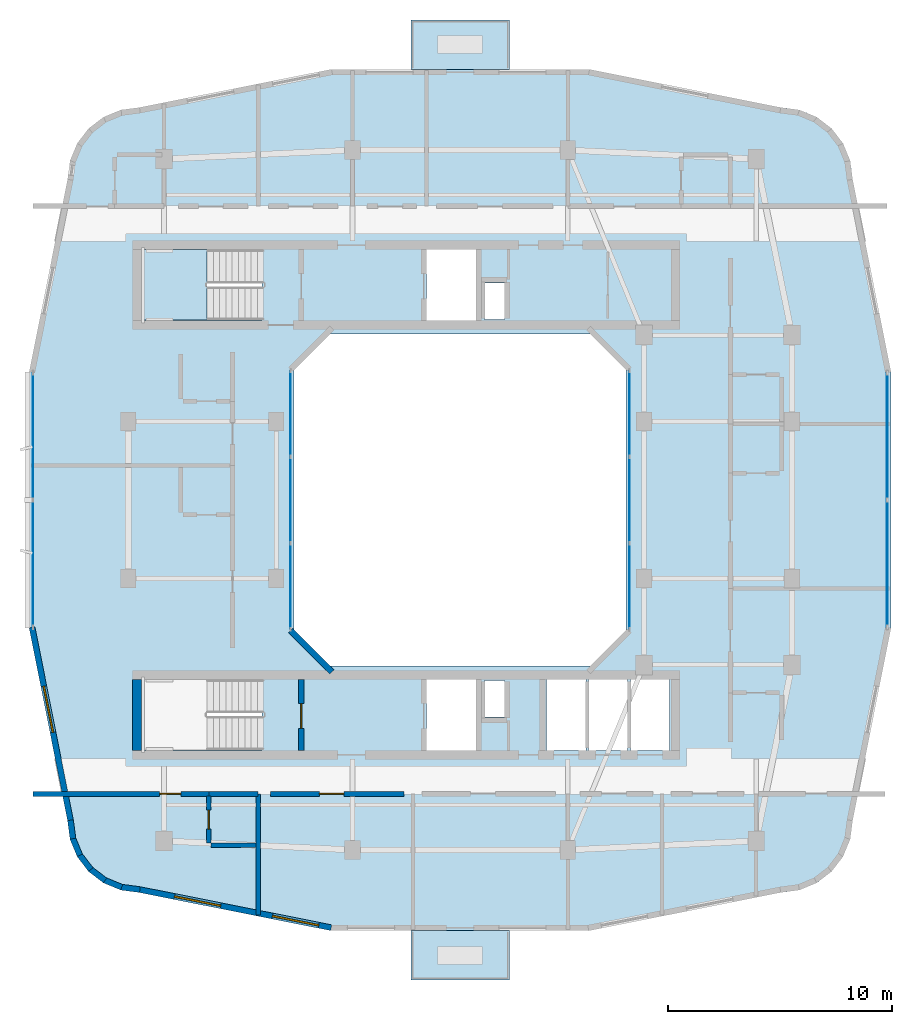
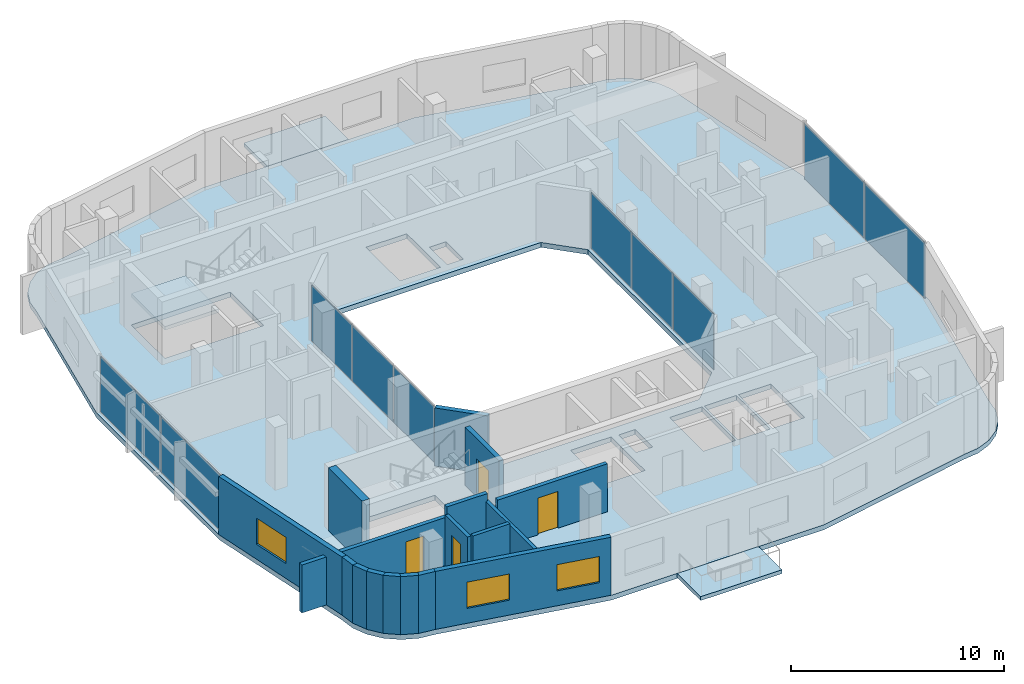
# One storey, part 5 of 13: 17 walls, 10 plates, 4 doors, 4 slabs, 3 windows, 7 openings, 5 elements without a shape of their own.
"""IFC4 building model written with IfcOpenShell, lengths in metres."""

from ifc_helpers import new_model, si_unit, derived_unit, direction, frame, frame_2d, origin, origin_2d, place, context, subcontext, project, spatial, polyline, rectangle, outline, extrude, material, layer, layer_set, type_object, element, fill, aggregate, save


model = new_model("IFC4")

# Units and contexts
model_context = context("Model", 3, precision=1e-05, world=origin(), true_north=direction((0.0, 1.0)))
body_context = subcontext(model_context, "Body", "Model", "MODEL_VIEW")
ifc_project = project(units=[si_unit("LENGTHUNIT", "METRE"), si_unit("AREAUNIT", "SQUARE_METRE"), si_unit("VOLUMEUNIT", "CUBIC_METRE"), si_unit("PLANEANGLEUNIT", "RADIAN"), si_unit("MASSUNIT", "GRAM", prefix="KILO"), derived_unit("THERMALTRANSMITTANCEUNIT", [(si_unit("POWERUNIT", "WATT"), 1), (si_unit("LENGTHUNIT", "METRE"), -2), (si_unit("THERMODYNAMICTEMPERATUREUNIT", "KELVIN"), -1)])], contexts=[model_context])

# Site, building, storey
site_placement = place(None, origin())
site = spatial("IfcSite", under=ifc_project, at=site_placement, CompositionType="ELEMENT")
building_placement = place(site_placement, origin())
building = spatial("IfcBuilding", under=site, at=building_placement, Name="Kivonza Crest Hotel", CompositionType="ELEMENT")
storey_placement = place(building_placement, frame((0.0, 0.0, 231.5)))
storey = spatial("IfcBuildingStorey", under=building, at=storey_placement, Name="L63", CompositionType="ELEMENT", Elevation=231.5)

# Curtain wall, plates
ifc_material_1 = material(Name="Anodised bronze aluminium and low-E double glazing", Category="aluminium")
ifc_layer_1 = layer(ifc_material_1, 0.159912109375)
ifc_layer_set_1 = layer_set([ifc_layer_1], Name="Anodised bronze aluminium and low-E double glazing")
curtain_wall_type_1 = type_object("IfcCurtainWallType", Name="CW-SYS-5", PredefinedType="NOTDEFINED", material=ifc_layer_set_1)
curtain_wall_1_placement = place(storey_placement, origin())
curtain_wall_1 = element("IfcCurtainWall", 1, at=curtain_wall_1_placement, inside=storey, type_object=curtain_wall_type_1, Name="L63 unitised curtain wall CW-WELL-T1-L63-3", PredefinedType="NOTDEFINED")
ifc_material_2 = material(Name="Solar-control low-E double glazing", Category="glass")
ifc_layer_2 = layer(ifc_material_2, 0.028076171875)
ifc_layer_set_2 = layer_set([ifc_layer_2], Name="Solar-control low-E double glazing")
plate_type_1 = type_object("IfcPlateType", Name="CW-PNL-28", PredefinedType="CURTAIN_PANEL", material=ifc_layer_set_2)
plate_1_placement = place(storey_placement, frame((28.56005859375, 21.149658203125, 0.06494140625), z_axis=(0.0, 0.0, 1.0), x_axis=(0.0, 1.0, 0.0)))
plate_1 = element("IfcPlate", 2, at=plate_1_placement, type_object=plate_type_1, Name="CW-5 panel 1.1", PredefinedType="CURTAIN_PANEL", context=body_context, shape_type="SweptSolid", body=[
    extrude(rectangle(XDim=3.769287109375, YDim=0.028076171875, at=origin_2d()), origin(), (0.0, 0.0, 1.0), 3.18994140625),
])
plate_2_placement = place(storey_placement, frame((28.56005859375, 25.0, 0.06494140625), z_axis=(0.0, 0.0, 1.0), x_axis=(0.0, 1.0, 0.0)))
plate_2 = element("IfcPlate", 3, at=plate_2_placement, type_object=plate_type_1, Name="CW-5 panel 2.1", PredefinedType="CURTAIN_PANEL", context=body_context, shape_type="SweptSolid", body=[
    extrude(rectangle(XDim=3.8017578125, YDim=0.028076171875, at=origin_2d()), origin(), (0.0, 0.0, 1.0), 3.18994140625),
])
plate_3_placement = place(storey_placement, frame((28.56005859375, 28.850341796875, 0.06494140625), z_axis=(0.0, 0.0, 1.0), x_axis=(0.0, 1.0, 0.0)))
plate_3 = element("IfcPlate", 4, at=plate_3_placement, type_object=plate_type_1, Name="CW-5 panel 3.1", PredefinedType="CURTAIN_PANEL", context=body_context, shape_type="SweptSolid", body=[
    extrude(rectangle(XDim=3.769287109375, YDim=0.028076171875, at=origin_2d()), origin(), (0.0, 0.0, 1.0), 3.18994140625),
])
aggregate(curtain_wall_1, [plate_1, plate_2, plate_3])

curtain_wall_2_placement = place(storey_placement, origin())
curtain_wall_2 = element("IfcCurtainWall", 5, at=curtain_wall_2_placement, inside=storey, type_object=curtain_wall_type_1, Name="L63 unitised curtain wall CW-WELL-T1-L63-7", PredefinedType="NOTDEFINED")
plate_4_placement = place(storey_placement, frame((13.43994140625, 28.850341796875, 0.06494140625), z_axis=(0.0, 0.0, 1.0), x_axis=(0.0, -1.0, 0.0)))
plate_4 = element("IfcPlate", 6, at=plate_4_placement, type_object=plate_type_1, Name="CW-5 panel 1.1", PredefinedType="CURTAIN_PANEL", context=body_context, shape_type="SweptSolid", body=[
    extrude(rectangle(XDim=3.769287109375, YDim=0.028076171875, at=origin_2d()), origin(), (0.0, 0.0, 1.0), 3.18994140625),
])
plate_5_placement = place(storey_placement, frame((13.43994140625, 25.0, 0.06494140625), z_axis=(0.0, 0.0, 1.0), x_axis=(0.0, -1.0, 0.0)))
plate_5 = element("IfcPlate", 7, at=plate_5_placement, type_object=plate_type_1, Name="CW-5 panel 2.1", PredefinedType="CURTAIN_PANEL", context=body_context, shape_type="SweptSolid", body=[
    extrude(rectangle(XDim=3.8017578125, YDim=0.028076171875, at=origin_2d()), origin(), (0.0, 0.0, 1.0), 3.18994140625),
])
plate_6_placement = place(storey_placement, frame((13.43994140625, 21.149658203125, 0.06494140625), z_axis=(0.0, 0.0, 1.0), x_axis=(0.0, -1.0, 0.0)))
plate_6 = element("IfcPlate", 8, at=plate_6_placement, type_object=plate_type_1, Name="CW-5 panel 3.1", PredefinedType="CURTAIN_PANEL", context=body_context, shape_type="SweptSolid", body=[
    extrude(rectangle(XDim=3.769287109375, YDim=0.028076171875, at=origin_2d()), origin(), (0.0, 0.0, 1.0), 3.18994140625),
])
aggregate(curtain_wall_2, [plate_4, plate_5, plate_6])

ifc_layer_3 = layer(ifc_material_1, 0.179931640625)
ifc_layer_set_3 = layer_set([ifc_layer_3], Name="Anodised bronze aluminium and low-E double glazing")
curtain_wall_type_2 = type_object("IfcCurtainWallType", Name="CW-SYS-3", PredefinedType="NOTDEFINED", material=ifc_layer_set_3)
curtain_wall_3_placement = place(storey_placement, origin())
curtain_wall_3 = element("IfcCurtainWall", 9, at=curtain_wall_3_placement, inside=storey, type_object=curtain_wall_type_2, Name="L63 unitised curtain wall CW-T1-L63-17", PredefinedType="NOTDEFINED")
ifc_material_3 = material(Name="Acoustic triple-laminated low-E glazing", Category="glass")
ifc_layer_4 = layer(ifc_material_3, 0.035888671875)
ifc_layer_set_4 = layer_set([ifc_layer_4], Name="Acoustic triple-laminated low-E glazing")
plate_type_2 = type_object("IfcPlateType", Name="CW-PNL-36", PredefinedType="CURTAIN_PANEL", material=ifc_layer_set_4)
plate_7_placement = place(storey_placement, frame((40.0400390625, 22.15869140625, 0.074951171875), z_axis=(0.0, 0.0, 1.0), x_axis=(0.0, 1.0, 0.0)))
plate_7 = element("IfcPlate", 10, at=plate_7_placement, type_object=plate_type_2, Name="CW-3 panel 1.1", PredefinedType="CURTAIN_PANEL", context=body_context, shape_type="SweptSolid", body=[
    extrude(rectangle(XDim=5.607421875, YDim=0.035888671875, at=origin_2d()), origin(), (0.0, 0.0, 1.0), 3.169921875),
])
plate_8_placement = place(storey_placement, frame((40.0400390625, 27.84130859375, 0.074951171875), z_axis=(0.0, 0.0, 1.0), x_axis=(0.0, 1.0, 0.0)))
plate_8 = element("IfcPlate", 11, at=plate_8_placement, type_object=plate_type_2, Name="CW-3 panel 2.1", PredefinedType="CURTAIN_PANEL", context=body_context, shape_type="SweptSolid", body=[
    extrude(rectangle(XDim=5.607421875, YDim=0.035888671875, at=origin_2d()), origin(), (0.0, 0.0, 1.0), 3.169921875),
])
aggregate(curtain_wall_3, [plate_7, plate_8])

curtain_wall_4_placement = place(storey_placement, origin())
curtain_wall_4 = element("IfcCurtainWall", 12, at=curtain_wall_4_placement, inside=storey, type_object=curtain_wall_type_2, Name="L63 unitised curtain wall CW-T1-L63-35", PredefinedType="NOTDEFINED")
plate_9_placement = place(storey_placement, frame((1.9599609375, 27.84130859375, 0.074951171875), z_axis=(0.0, 0.0, 1.0), x_axis=(0.0, -1.0, 0.0)))
plate_9 = element("IfcPlate", 13, at=plate_9_placement, type_object=plate_type_2, Name="CW-3 panel 1.1", PredefinedType="CURTAIN_PANEL", context=body_context, shape_type="SweptSolid", body=[
    extrude(rectangle(XDim=5.607421875, YDim=0.035888671875, at=origin_2d()), origin(), (0.0, 0.0, 1.0), 3.169921875),
])
plate_10_placement = place(storey_placement, frame((1.9599609375, 22.15869140625, 0.074951171875), z_axis=(0.0, 0.0, 1.0), x_axis=(0.0, -1.0, 0.0)))
plate_10 = element("IfcPlate", 14, at=plate_10_placement, type_object=plate_type_2, Name="CW-3 panel 2.1", PredefinedType="CURTAIN_PANEL", context=body_context, shape_type="SweptSolid", body=[
    extrude(rectangle(XDim=5.607421875, YDim=0.035888671875, at=origin_2d()), origin(), (0.0, 0.0, 1.0), 3.169921875),
])
aggregate(curtain_wall_4, [plate_9, plate_10])

# Slab
ifc_material_4 = material(Name="Concrete C40/50", Category="concrete")
ifc_layer_5 = layer(ifc_material_4, 0.280029296875)
ifc_layer_set_5 = layer_set([ifc_layer_5], Name="Concrete C40/50")
slab_type_1 = type_object("IfcSlabType", Name="SL-HTL-280", PredefinedType="FLOOR", material=ifc_layer_set_5)
slab_1_placement = place(storey_placement, frame((0.0, 0.0, -0.280029296875)))
element("IfcSlab", 15, at=slab_1_placement, inside=storey, type_object=slab_type_1, Name="Tower T1 L63 floor slab", PredefinedType="FLOOR", context=body_context, shape_type="SweptSolid", body=[
    extrude(outline(polyline([(3.5, 10.699951171875), (3.60888671875, 9.8720703125), (3.928955078125, 9.10009765625), (4.43701171875, 8.43701171875), (5.10009765625, 7.928955078125), (5.8720703125, 7.60888671875), (6.699951171875, 7.5), (15.239990234375, 5.800048828125), (26.760009765625, 5.800048828125), (35.300048828125, 7.5), (36.1279296875, 7.60888671875), (36.89990234375, 7.928955078125), (37.56298828125, 8.43701171875), (38.071044921875, 9.10009765625), (38.39111328125, 9.8720703125), (38.5, 10.699951171875), (40.199951171875, 19.239990234375), (40.199951171875, 30.760009765625), (38.5, 39.300048828125), (38.39111328125, 40.1279296875), (38.071044921875, 40.89990234375), (37.56298828125, 41.56298828125), (36.89990234375, 42.071044921875), (36.1279296875, 42.39111328125), (35.300048828125, 42.5), (26.760009765625, 44.199951171875), (15.239990234375, 44.199951171875), (6.699951171875, 42.5), (5.8720703125, 42.39111328125), (5.10009765625, 42.071044921875), (4.43701171875, 41.56298828125), (3.928955078125, 40.89990234375), (3.60888671875, 40.1279296875), (3.5, 39.300048828125), (1.800048828125, 30.760009765625), (1.800048828125, 19.239990234375), (3.5, 10.699951171875)]), holes=[polyline([(15.199951171875, 17.60009765625), (26.800048828125, 17.60009765625), (28.39990234375, 19.199951171875), (28.39990234375, 30.800048828125), (26.800048828125, 32.39990234375), (15.199951171875, 32.39990234375), (13.60009765625, 30.800048828125), (13.60009765625, 19.199951171875), (15.199951171875, 17.60009765625)]), polyline([(6.800048828125, 33.02001953125), (12.159912109375, 33.02001953125), (12.159912109375, 36.159912109375), (6.800048828125, 36.159912109375), (6.800048828125, 33.02001953125)]), polyline([(6.800048828125, 13.860107421875), (12.159912109375, 13.860107421875), (12.159912109375, 17.0), (6.800048828125, 17.0), (6.800048828125, 13.860107421875)]), polyline([(22.080078125, 33.0400390625), (22.969970703125, 33.0400390625), (22.969970703125, 34.679931640625), (22.080078125, 34.679931640625), (22.080078125, 33.0400390625)]), polyline([(22.080078125, 15.320068359375), (22.969970703125, 15.320068359375), (22.969970703125, 16.9599609375), (22.080078125, 16.9599609375), (22.080078125, 15.320068359375)]), polyline([(19.5, 33.0), (21.699951171875, 33.0), (21.699951171875, 36.159912109375), (19.5, 36.159912109375), (19.5, 33.0)]), polyline([(19.5, 13.840087890625), (21.699951171875, 13.840087890625), (21.699951171875, 17.0), (19.5, 17.0), (19.5, 13.840087890625)]), polyline([(24.860107421875, 13.840087890625), (26.60693359375, 13.840087890625), (26.60693359375, 17.0), (24.860107421875, 17.0), (24.860107421875, 13.840087890625)]), polyline([(26.72705078125, 13.840087890625), (28.472900390625, 13.840087890625), (28.472900390625, 17.0), (26.72705078125, 17.0), (26.72705078125, 13.840087890625)]), polyline([(28.593017578125, 13.840087890625), (30.340087890625, 13.840087890625), (30.340087890625, 17.0), (28.593017578125, 17.0), (28.593017578125, 13.840087890625)])]), origin(), (0.0, 0.0, 1.0), 0.280029296875),
])

# Stair, slab
stair_type = type_object("IfcStairType", Name="ST-DL-20R", PredefinedType="HALF_TURN_STAIR", material=ifc_material_4)
stair_placement = place(storey_placement, origin())
stair = element("IfcStair", 16, at=stair_placement, inside=storey, type_object=stair_type, Name="L63 Protected Exit Stair ST-T1-N", PredefinedType="HALF_TURN_STAIR")
ifc_layer_6 = layer(ifc_material_4, 0.199951171875)
ifc_layer_set_6 = layer_set([ifc_layer_6], Name="Concrete C40/50")
slab_type_2 = type_object("IfcSlabType", Name="SL-LAND-200", PredefinedType="LANDING", material=ifc_layer_set_6)
slab_2_placement = place(storey_placement, frame((0.0, 0.0, 1.60009765625)))
slab_2 = element("IfcSlab", 17, at=slab_2_placement, type_object=slab_type_2, Name="ST-T1-N landing 1", PredefinedType="LANDING", context=body_context, shape_type="SweptSolid", body=[
    extrude(outline(polyline([(9.719970703125, 36.159912109375), (6.800048828125, 36.159912109375), (6.800048828125, 33.02001953125), (9.719970703125, 33.02001953125), (9.719970703125, 36.159912109375)])), origin(), (0.0, 0.0, 1.0), 0.199951171875),
])
aggregate(stair, [slab_2])

# Slabs
ifc_layer_7 = layer(ifc_material_4, 0.219970703125)
ifc_layer_set_7 = layer_set([ifc_layer_7], Name="Concrete C40/50")
slab_type_3 = type_object("IfcSlabType", Name="SL-SKYG-220", PredefinedType="FLOOR", material=ifc_layer_set_7)
slab_3_placement = place(storey_placement, frame((0.0, 0.0, -0.219970703125)))
element("IfcSlab", 18, at=slab_3_placement, inside=storey, type_object=slab_type_3, Name="Tower T1 L63 SW planted sky-garden bridge", PredefinedType="FLOOR", context=body_context, shape_type="SweptSolid", body=[
    extrude(outline(polyline([(18.800048828125, 3.60009765625), (23.199951171875, 3.60009765625), (23.199951171875, 5.800048828125), (18.800048828125, 5.800048828125), (18.800048828125, 3.60009765625)])), origin(), (0.0, 0.0, 1.0), 0.219970703125),
])
slab_4_placement = place(storey_placement, frame((0.0, 0.0, -0.219970703125)))
element("IfcSlab", 19, at=slab_4_placement, inside=storey, type_object=slab_type_3, Name="Tower T1 L63 NE planted sky-garden bridge", PredefinedType="FLOOR", context=body_context, shape_type="SweptSolid", body=[
    extrude(outline(polyline([(18.800048828125, 44.199951171875), (23.199951171875, 44.199951171875), (23.199951171875, 46.39990234375), (18.800048828125, 46.39990234375), (18.800048828125, 44.199951171875)])), origin(), (0.0, 0.0, 1.0), 0.219970703125),
])

# Walls
ifc_material_5 = material(Name="High-density acoustic masonry inter-tenancy wall", Category="masonry")
ifc_layer_8 = layer(ifc_material_5, 0.179931640625)
ifc_layer_set_8 = layer_set([ifc_layer_8], Name="High-density acoustic masonry inter-tenancy wall")
wall_type_1 = type_object("IfcWallType", Name="WL-ACOU-180", PredefinedType="SOLIDWALL", material=ifc_layer_set_8)
wall_1_placement = place(storey_placement, frame((12.0, 6.506103515625, 0.0), z_axis=(0.0, 0.0, 1.0), x_axis=(0.0, 1.0, 0.0)))
element("IfcWall", 20, at=wall_1_placement, inside=storey, type_object=wall_type_1, Name="L63 interior partition WA-L63-T1S-DIV1", PredefinedType="SOLIDWALL", context=body_context, shape_type="SweptSolid", body=[
    extrude(rectangle(XDim=5.393798828125, YDim=0.179931640625, at=frame_2d((2.69677734375, 0.0))), origin(), (0.0, 0.0, 1.0), 2.89501953125),
])
ifc_material_6 = material(Name="Autoclaved aerated concrete blockwork", Category="masonry")
ifc_layer_9 = layer(ifc_material_6, 0.219970703125)
ifc_layer_set_9 = layer_set([ifc_layer_9], Name="Autoclaved aerated concrete blockwork")
wall_type_2 = type_object("IfcWallType", Name="WL-ACOU-220", PredefinedType="SOLIDWALL", material=ifc_layer_set_9)
wall_2_placement = place(storey_placement, frame((9.800048828125, 11.89990234375, 0.0), z_axis=(0.0, 0.0, 1.0), x_axis=(1.0, 0.0, 0.0)))
element("IfcWall", 21, at=wall_2_placement, inside=storey, type_object=wall_type_2, Name="L63 interior partition WA-L63-S03-BCORR", PredefinedType="SOLIDWALL", context=body_context, shape_type="SweptSolid", body=[
    extrude(rectangle(XDim=2.199951171875, YDim=0.219970703125, at=frame_2d((1.10009765625, 0.0))), origin(), (0.0, 0.0, 1.0), 3.320068359375),
])

# Wall, opening, door
wall_3_placement = place(storey_placement, frame((1.9599609375, 11.89990234375, 0.0), z_axis=(0.0, 0.0, 1.0), x_axis=(1.0, 0.0, 0.0)))
wall_3 = element("IfcWall", 22, at=wall_3_placement, inside=storey, type_object=wall_type_2, Name="L63 interior partition WA-L63-S03-MCORR", PredefinedType="SOLIDWALL", context=body_context, shape_type="SweptSolid", body=[
    extrude(rectangle(XDim=7.840087890625, YDim=0.219970703125, at=frame_2d((3.919921875, 0.0))), origin(), (0.0, 0.0, 1.0), 2.7451171875),
])
opening_1_placement = place(wall_3_placement, frame((5.639892578125, 0.0, 0.0)))
opening_1 = element("IfcOpeningElement", 23, at=opening_1_placement, cuts=wall_3, Name="Opening DU-60", PredefinedType="OPENING", context=body_context, shape_type="SweptSolid", body=[
    extrude(rectangle(XDim=0.949951171875, YDim=2.10009765625, at=frame_2d((0.47509765625, 1.050048828125))), frame((0.0, 0.1201171875, 0.0), z_axis=(0.0, -1.0, 0.0), x_axis=(1.0, 0.0, 0.0)), (0.0, 0.0, 1.0), 0.239990234375),
])
ifc_material_7 = material(Name="Hardwood timber oak", Category="wood")
door_type_1 = type_object("IfcDoorType", Name="DR-UNIT-950", OperationType="NOTDEFINED", PredefinedType="DOOR", material=ifc_material_7)
door_1_placement = place(opening_1_placement, frame((0.949951171875, 0.0, 0.0), z_axis=(0.0, 0.0, 1.0), x_axis=(-1.0, 0.0, 0.0)))
door_1 = element("IfcDoor", 24, at=door_1_placement, inside=storey, type_object=door_type_1, Name="L63 S03 guest unit entrance fire door", OperationType="SINGLE_SWING_LEFT", OverallHeight=2.10009765625, OverallWidth=0.949951171875, PredefinedType="DOOR", context=body_context, shape_type="SweptSolid", body=[
    extrude(rectangle(XDim=0.949951171875, YDim=2.10009765625, at=frame_2d((0.47509765625, 1.050048828125))), frame((0.0, 0.02490234375, 0.0), z_axis=(0.0, -1.0, 0.0), x_axis=(1.0, 0.0, 0.0)), (0.0, 0.0, 1.0), 0.050048828125),
])
fill(opening_1, door_1)

wall_4_placement = place(storey_placement, frame((12.550048828125, 11.89990234375, 0.0), z_axis=(0.0, 0.0, 1.0), x_axis=(1.0, 0.0, 0.0)))
wall_4 = element("IfcWall", 25, at=wall_4_placement, inside=storey, type_object=wall_type_2, Name="L63 interior partition WA-L63-Z4-SOFF1A-N", PredefinedType="SOLIDWALL", context=body_context, shape_type="SweptSolid", body=[
    extrude(rectangle(XDim=5.949951171875, YDim=0.219970703125, at=frame_2d((2.97509765625, 0.0))), origin(), (0.0, 0.0, 1.0), 2.7451171875),
])
opening_2_placement = place(wall_4_placement, frame((2.173095703125, 0.0, 0.0)))
opening_2 = element("IfcOpeningElement", 26, at=opening_2_placement, cuts=wall_4, Name="Opening DF-60M", PredefinedType="OPENING", context=body_context, shape_type="SweptSolid", body=[
    extrude(rectangle(XDim=1.10009765625, YDim=2.10009765625, at=frame_2d((0.550048828125, 1.050048828125))), frame((0.0, 0.1201171875, 0.0), z_axis=(0.0, -1.0, 0.0), x_axis=(1.0, 0.0, 0.0)), (0.0, 0.0, 1.0), 0.239990234375),
])
door_type_2 = type_object("IfcDoorType", Name="DR-FD60-1100", OperationType="NOTDEFINED", PredefinedType="DOOR", material=ifc_material_7)
door_2_placement = place(opening_2_placement, frame((1.10009765625, 0.0, 0.0), z_axis=(0.0, 0.0, 1.0), x_axis=(-1.0, 0.0, 0.0)))
door_2 = element("IfcDoor", 27, at=door_2_placement, inside=storey, type_object=door_type_2, Name="L63 High-Zone Executive Study Office door", OperationType="SINGLE_SWING_RIGHT", OverallHeight=2.10009765625, OverallWidth=1.10009765625, PredefinedType="DOOR", context=body_context, shape_type="SweptSolid", body=[
    extrude(rectangle(XDim=1.10009765625, YDim=2.10009765625, at=frame_2d((0.550048828125, 1.050048828125))), frame((0.0, 0.02490234375, 0.0), z_axis=(0.0, -1.0, 0.0), x_axis=(1.0, 0.0, 0.0)), (0.0, 0.0, 1.0), 0.050048828125),
])
fill(opening_2, door_2)

# Walls
ifc_material_8 = material(Name="Concrete C50/60", Category="concrete")
ifc_layer_10 = layer(ifc_material_8, 0.39990234375)
ifc_layer_set_10 = layer_set([ifc_layer_10], Name="Concrete C50/60")
wall_type_3 = type_object("IfcWallType", Name="WL-CORE-400", PredefinedType="SHEAR", material=ifc_layer_set_10)
wall_5_placement = place(storey_placement, frame((6.60009765625, 13.840087890625, 0.0), z_axis=(0.0, 0.0, 1.0), x_axis=(0.0, 1.0, 0.0)))
element("IfcWall", 28, at=wall_5_placement, inside=storey, type_object=wall_type_3, Name="Core wall T1-S West L63", PredefinedType="SHEAR", context=body_context, shape_type="SweptSolid", body=[
    extrude(rectangle(XDim=3.159912109375, YDim=0.39990234375, at=frame_2d((1.580078125, 0.0))), origin(), (0.0, 0.0, 1.0), 3.60009765625),
])
ifc_material_9 = material(Name="Precast concrete C40/50", Category="concrete")
ifc_layer_11 = layer(ifc_material_9, 0.260009765625)
ifc_layer_set_11 = layer_set([ifc_layer_11], Name="Precast concrete C40/50")
wall_type_4 = type_object("IfcWallType", Name="WL-EXT-260", PredefinedType="STANDARD", material=ifc_layer_set_11)
wall_6_placement = place(storey_placement, frame((3.6279296875, 10.72509765625, 0.0), z_axis=(0.0, 0.0, 1.0), x_axis=(0.130954667764, -0.9913883573, 0.0)))
element("IfcWall", 29, at=wall_6_placement, inside=storey, type_object=wall_type_4, Name="L63 T1 exterior insulated wall 1", PredefinedType="STANDARD", context=body_context, shape_type="SweptSolid", body=[
    extrude(rectangle(XDim=0.833251953125, YDim=0.260009765625, at=frame_2d((0.41650390625, 0.0))), origin(), (0.0, 0.0, 1.0), 3.320068359375),
])
wall_7_placement = place(storey_placement, frame((3.718994140625, 9.945068359375, 0.0), z_axis=(0.0, 0.0, 1.0), x_axis=(0.382985169477, -0.923754491172, 0.0)))
element("IfcWall", 30, at=wall_7_placement, inside=storey, type_object=wall_type_4, Name="L63 T1 exterior insulated wall 2", PredefinedType="STANDARD", context=body_context, shape_type="SweptSolid", body=[
    extrude(rectangle(XDim=0.85107421875, YDim=0.260009765625, at=frame_2d((0.425537109375, 0.0))), origin(), (0.0, 0.0, 1.0), 3.320068359375),
])
for number, where, z_axis, x_axis, name in (
    (31, (4.01708984375, 9.198974609375, 0.0), (0.0, 0.0, 1.0), (0.607918988881, -0.793999057278, 0.0), "L63 T1 exterior insulated wall 3"),
    (32, (4.49609375, 8.554931640625, 0.0), (0.0, 0.0, 1.0), (0.793892896323, -0.608057619941, 0.0), "L63 T1 exterior insulated wall 4"),
):
    element("IfcWall", number, at=place(storey_placement, frame(where, z_axis=z_axis, x_axis=x_axis)), inside=storey, type_object=wall_type_4, Name=name, PredefinedType="STANDARD", context=body_context, shape_type="SweptSolid", body=[
        extrude(rectangle(XDim=0.85009765625, YDim=0.260009765625, at=frame_2d((0.425048828125, 0.0))), origin(), (0.0, 0.0, 1.0), 3.320068359375),
    ])
wall_8_placement = place(storey_placement, frame((5.126953125, 8.05908203125, 0.0), z_axis=(0.0, 0.0, 1.0), x_axis=(0.923652976167, -0.383229930484, 0.0)))
element("IfcWall", 33, at=wall_8_placement, inside=storey, type_object=wall_type_4, Name="L63 T1 exterior insulated wall 5", PredefinedType="STANDARD", context=body_context, shape_type="SweptSolid", body=[
    extrude(rectangle(XDim=0.85107421875, YDim=0.260009765625, at=frame_2d((0.425537109375, 0.0))), origin(), (0.0, 0.0, 1.0), 3.320068359375),
])
wall_9_placement = place(storey_placement, frame((5.864013671875, 7.740966796875, 0.0), z_axis=(0.0, 0.0, 1.0), x_axis=(0.991493480548, -0.130156359936, 0.0)))
element("IfcWall", 34, at=wall_9_placement, inside=storey, type_object=wall_type_4, Name="L63 T1 exterior insulated wall 6", PredefinedType="STANDARD", context=body_context, shape_type="SweptSolid", body=[
    extrude(rectangle(XDim=0.868408203125, YDim=0.260009765625, at=frame_2d((0.43408203125, 0.0))), origin(), (0.0, 0.0, 1.0), 3.320068359375),
])

# Wall, openings, windows
wall_10_placement = place(storey_placement, frame((6.717041015625, 7.62890625, 0.0), z_axis=(0.0, 0.0, 1.0), x_axis=(0.980748582507, -0.1952747242, 0.0)))
wall_10 = element("IfcWall", 35, at=wall_10_placement, inside=storey, type_object=wall_type_4, Name="L63 T1 exterior insulated wall 7", PredefinedType="STANDARD", context=body_context, shape_type="SweptSolid", body=[
    extrude(rectangle(XDim=8.705322265625, YDim=0.260009765625, at=frame_2d((4.3525390625, 0.0))), origin(), (0.0, 0.0, 1.0), 3.320068359375),
])
opening_3_placement = place(wall_10_placement, frame((1.5810546875, 0.0, 0.85009765625)))
opening_3 = element("IfcOpeningElement", 36, at=opening_3_placement, cuts=wall_10, Name="Opening WN-04", PredefinedType="OPENING", context=body_context, shape_type="SweptSolid", body=[
    extrude(rectangle(XDim=2.10009765625, YDim=1.5, at=frame_2d((1.050048828125, 0.75))), frame((0.0, 0.14013671875, 0.0), z_axis=(0.0, -1.0, 0.0), x_axis=(1.0, 0.0, 0.0)), (0.0, 0.0, 1.0), 0.280029296875),
])
opening_4_placement = place(wall_10_placement, frame((6.032958984375, 0.0, 0.85009765625)))
opening_4 = element("IfcOpeningElement", 37, at=opening_4_placement, cuts=wall_10, Name="Opening WN-04", PredefinedType="OPENING", context=body_context, shape_type="SweptSolid", body=[
    extrude(rectangle(XDim=2.10009765625, YDim=1.5, at=frame_2d((1.050048828125, 0.75))), frame((0.0, 0.14013671875, 0.0), z_axis=(0.0, -1.0, 0.0), x_axis=(1.0, 0.0, 0.0)), (0.0, 0.0, 1.0), 0.280029296875),
])
ifc_material_10 = material(Name="Thermally broken bronze aluminium and low-E double glazing", Category="aluminium")
window_type = type_object("IfcWindowType", Name="WN-210x150", PartitioningType="DOUBLE_PANEL_VERTICAL", PredefinedType="WINDOW", material=ifc_material_10)
window_1_placement = place(opening_3_placement, origin())
window_1 = element("IfcWindow", 38, at=window_1_placement, inside=storey, type_object=window_type, Name="L63 T1 facade window 7 bay 1", OverallHeight=1.5, OverallWidth=2.10009765625, PartitioningType="SINGLE_PANEL", PredefinedType="WINDOW", context=body_context, shape_type="SweptSolid", body=[
    extrude(rectangle(XDim=2.10009765625, YDim=1.5, at=frame_2d((1.050048828125, 0.75))), frame((0.0, 0.030029296875, 0.0), z_axis=(0.0, -1.0, 0.0), x_axis=(1.0, 0.0, 0.0)), (0.0, 0.0, 1.0), 0.06005859375),
])
fill(opening_3, window_1)
window_2_placement = place(opening_4_placement, origin())
window_2 = element("IfcWindow", 39, at=window_2_placement, inside=storey, type_object=window_type, Name="L63 T1 facade window 7 bay 2", OverallHeight=1.5, OverallWidth=2.10009765625, PartitioningType="SINGLE_PANEL", PredefinedType="WINDOW", context=body_context, shape_type="SweptSolid", body=[
    extrude(rectangle(XDim=2.10009765625, YDim=1.5, at=frame_2d((1.050048828125, 0.75))), frame((0.0, 0.030029296875, 0.0), z_axis=(0.0, -1.0, 0.0), x_axis=(1.0, 0.0, 0.0)), (0.0, 0.0, 1.0), 0.06005859375),
])
fill(opening_4, window_2)

# Wall, opening, window
wall_11_placement = place(storey_placement, frame((1.916015625, 19.319091796875, 0.0), z_axis=(0.0, 0.0, 1.0), x_axis=(0.195291715883, -0.980745199176, 0.0)))
wall_11 = element("IfcWall", 40, at=wall_11_placement, inside=storey, type_object=wall_type_4, Name="L63 T1 exterior insulated wall 36", PredefinedType="STANDARD", context=body_context, shape_type="SweptSolid", body=[
    extrude(rectangle(XDim=8.77099609375, YDim=0.260009765625, at=frame_2d((4.385498046875, 0.0))), origin(), (0.0, 0.0, 1.0), 3.320068359375),
])
opening_5_placement = place(wall_11_placement, frame((2.669921875, 0.0, 0.85009765625)))
opening_5 = element("IfcOpeningElement", 41, at=opening_5_placement, cuts=wall_11, Name="Opening WN-04", PredefinedType="OPENING", context=body_context, shape_type="SweptSolid", body=[
    extrude(rectangle(XDim=2.10009765625, YDim=1.5, at=frame_2d((1.050048828125, 0.75))), frame((0.0, 0.14013671875, 0.0), z_axis=(0.0, -1.0, 0.0), x_axis=(1.0, 0.0, 0.0)), (0.0, 0.0, 1.0), 0.280029296875),
])
window_3_placement = place(opening_5_placement, origin())
window_3 = element("IfcWindow", 42, at=window_3_placement, inside=storey, type_object=window_type, Name="L63 T1 facade window 36", OverallHeight=1.5, OverallWidth=2.10009765625, PartitioningType="SINGLE_PANEL", PredefinedType="WINDOW", context=body_context, shape_type="SweptSolid", body=[
    extrude(rectangle(XDim=2.10009765625, YDim=1.5, at=frame_2d((1.050048828125, 0.75))), frame((0.0, 0.030029296875, 0.0), z_axis=(0.0, -1.0, 0.0), x_axis=(1.0, 0.0, 0.0)), (0.0, 0.0, 1.0), 0.06005859375),
])
fill(opening_5, window_3)

# Wall
wall_12_placement = place(storey_placement, frame((13.444091796875, 19.172119140625, 0.0), z_axis=(0.0, 0.0, 1.0), x_axis=(0.707059717605, -0.707153841636, 0.0)))
element("IfcWall", 43, at=wall_12_placement, inside=storey, type_object=wall_type_4, Name="L63 T1 light-well exterior wall 8", PredefinedType="STANDARD", context=body_context, shape_type="SweptSolid", body=[
    extrude(rectangle(XDim=2.59375, YDim=0.260009765625, at=frame_2d((1.296875, 0.0))), origin(), (0.0, 0.0, 1.0), 3.320068359375),
])

# Wall, opening, door
ifc_material_11 = material(Name="Moisture-resistant plumbing chase partition wall", Category="gypsum")
ifc_layer_12 = layer(ifc_material_11, 0.199951171875)
ifc_layer_set_12 = layer_set([ifc_layer_12], Name="Moisture-resistant plumbing chase partition wall")
wall_type_5 = type_object("IfcWallType", Name="WL-PLUMB-200", PredefinedType="PLUMBINGWALL", material=ifc_layer_set_12)
wall_13_placement = place(storey_placement, frame((9.800048828125, 9.699951171875, 0.0), z_axis=(0.0, 0.0, 1.0), x_axis=(0.0, 1.0, 0.0)))
wall_13 = element("IfcWall", 44, at=wall_13_placement, inside=storey, type_object=wall_type_5, Name="L63 interior partition WW-L63-S03-BV", PredefinedType="PLUMBINGWALL", context=body_context, shape_type="SweptSolid", body=[
    extrude(rectangle(XDim=2.10009765625, YDim=0.199951171875, at=frame_2d((1.050048828125, 0.0))), origin(), (0.0, 0.0, 1.0), 2.89501953125),
])
opening_6_placement = place(wall_13_placement, frame((0.625, 0.0, 0.0)))
opening_6 = element("IfcOpeningElement", 45, at=opening_6_placement, cuts=wall_13, Name="Opening DI-85", PredefinedType="OPENING", context=body_context, shape_type="SweptSolid", body=[
    extrude(rectangle(XDim=0.85009765625, YDim=2.10009765625, at=frame_2d((0.425048828125, 1.050048828125))), frame((0.0, 0.10986328125, 0.0), z_axis=(0.0, -1.0, 0.0), x_axis=(1.0, 0.0, 0.0)), (0.0, 0.0, 1.0), 0.219970703125),
])
door_type_3 = type_object("IfcDoorType", Name="DR-INT-850", OperationType="NOTDEFINED", PredefinedType="DOOR", material=ifc_material_7)
door_3_placement = place(opening_6_placement, origin())
door_3 = element("IfcDoor", 46, at=door_3_placement, inside=storey, type_object=door_type_3, Name="L63 S03 en-suite bathroom door", OperationType="SINGLE_SWING_RIGHT", OverallHeight=2.10009765625, OverallWidth=0.85009765625, PredefinedType="DOOR", context=body_context, shape_type="SweptSolid", body=[
    extrude(rectangle(XDim=0.85009765625, YDim=2.10009765625, at=frame_2d((0.425048828125, 1.050048828125))), frame((0.0, 0.02490234375, 0.0), z_axis=(0.0, -1.0, 0.0), x_axis=(1.0, 0.0, 0.0)), (0.0, 0.0, 1.0), 0.050048828125),
])
fill(opening_6, door_3)

# Wall
wall_14_placement = place(storey_placement, frame((9.89990234375, 9.60009765625, 0.0), z_axis=(0.0, 0.0, 1.0), x_axis=(1.0, 0.0, 0.0)))
element("IfcWall", 47, at=wall_14_placement, inside=storey, type_object=wall_type_5, Name="L63 interior partition WW-L63-S03-BH", PredefinedType="PLUMBINGWALL", context=body_context, shape_type="SweptSolid", body=[
    extrude(rectangle(XDim=2.0, YDim=0.199951171875, at=frame_2d((1.0, 0.0))), origin(), (0.0, 0.0, 1.0), 3.014892578125),
])

# Wall, opening, door
ifc_layer_13 = layer(ifc_material_8, 0.25)
ifc_layer_set_13 = layer_set([ifc_layer_13], Name="Concrete C50/60")
wall_type_6 = type_object("IfcWallType", Name="WL-SHAFT-250", PredefinedType="STANDARD", material=ifc_layer_set_13)
wall_15_placement = place(storey_placement, frame((13.925048828125, 13.840087890625, 0.0), z_axis=(0.0, 0.0, 1.0), x_axis=(0.0, 1.0, 0.0)))
wall_15 = element("IfcWall", 48, at=wall_15_placement, inside=storey, type_object=wall_type_6, Name="Core shaft wall T1-S STAIR L63", PredefinedType="STANDARD", context=body_context, shape_type="SweptSolid", body=[
    extrude(rectangle(XDim=3.159912109375, YDim=0.25, at=frame_2d((1.580078125, 0.0))), origin(), (0.0, 0.0, 1.0), 3.320068359375),
])
opening_7_placement = place(wall_15_placement, frame((0.97998046875, 0.0, 0.0)))
opening_7 = element("IfcOpeningElement", 49, at=opening_7_placement, cuts=wall_15, Name="Opening DF-120", PredefinedType="OPENING", context=body_context, shape_type="SweptSolid", body=[
    extrude(rectangle(XDim=1.10009765625, YDim=2.14990234375, at=frame_2d((0.550048828125, 1.074951171875))), frame((0.0, 0.135009765625, 0.0), z_axis=(0.0, -1.0, 0.0), x_axis=(1.0, 0.0, 0.0)), (0.0, 0.0, 1.0), 0.27001953125),
])
ifc_material_12 = material(Name="Galvanised steel", Category="steel")
door_type_4 = type_object("IfcDoorType", Name="DR-FD120-1100", OperationType="NOTDEFINED", PredefinedType="DOOR", material=ifc_material_12)
door_4_placement = place(opening_7_placement, frame((1.10009765625, 0.0, 0.0), z_axis=(0.0, 0.0, 1.0), x_axis=(-1.0, 0.0, 0.0)))
door_4 = element("IfcDoor", 50, at=door_4_placement, inside=storey, type_object=door_type_4, Name="L63 T1-S stair fire door", OperationType="SINGLE_SWING_RIGHT", OverallHeight=2.14990234375, OverallWidth=1.10009765625, PredefinedType="DOOR", context=body_context, shape_type="SweptSolid", body=[
    extrude(rectangle(XDim=1.10009765625, YDim=2.14990234375, at=frame_2d((0.550048828125, 1.074951171875))), frame((0.0, 0.02490234375, 0.0), z_axis=(0.0, -1.0, 0.0), x_axis=(1.0, 0.0, 0.0)), (0.0, 0.0, 1.0), 0.050048828125),
])
fill(opening_7, door_4)

save(model, "model.ifc")
